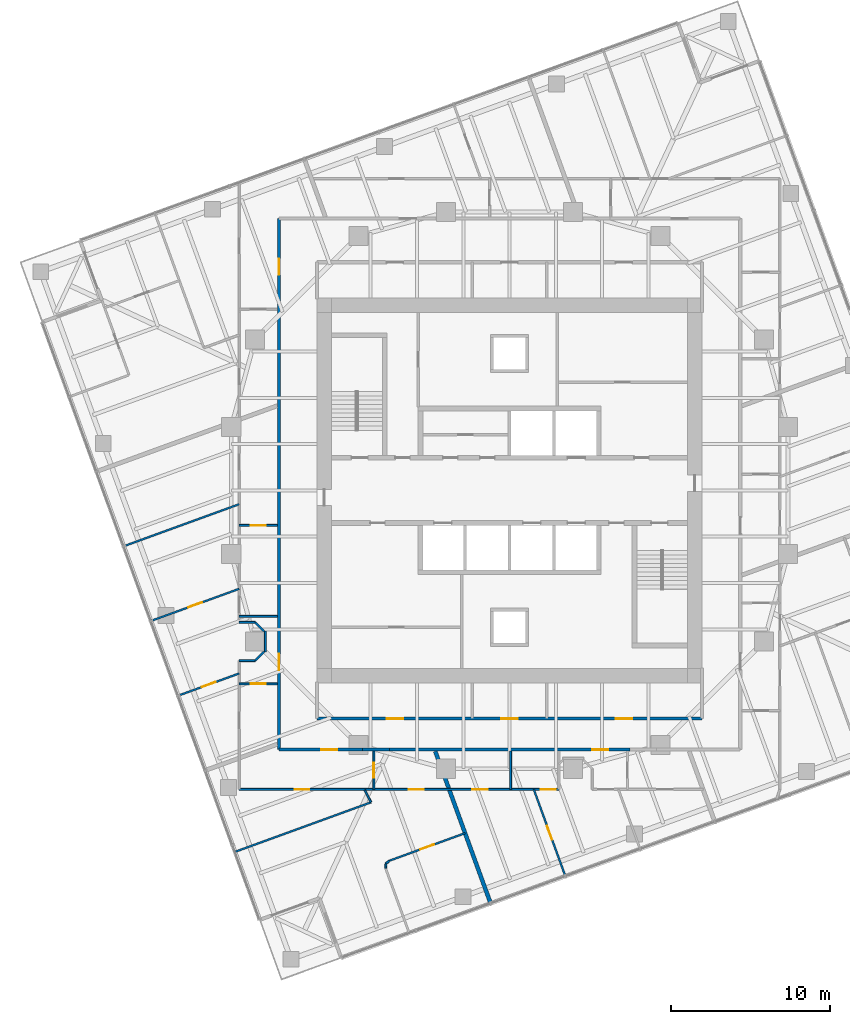
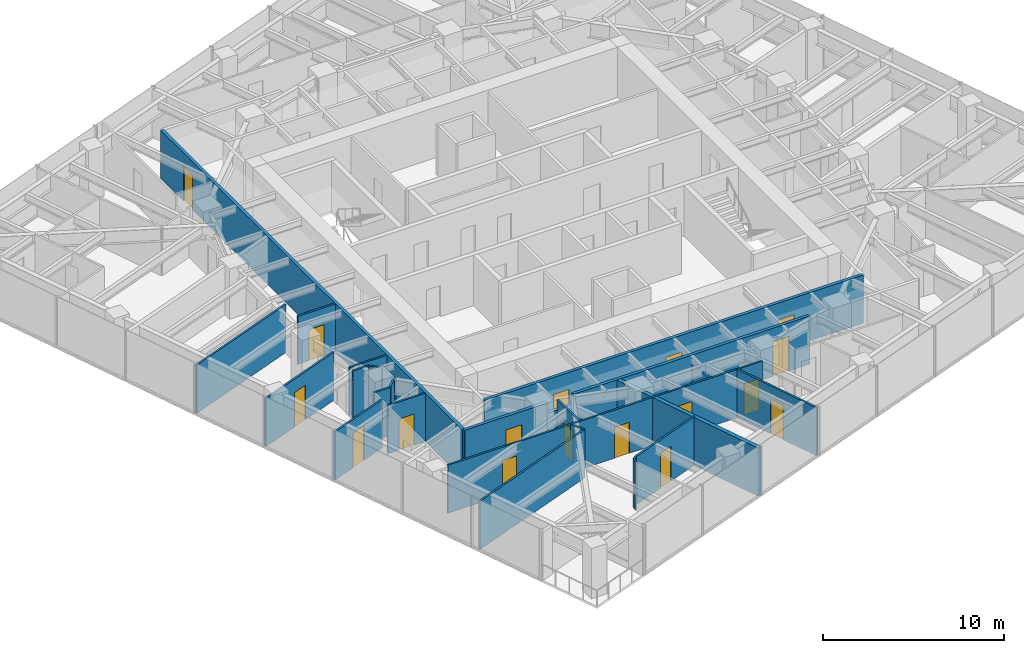
# One storey, part 7 of 13: 26 walls, 18 doors, 18 openings.
"""IFC4 building model written with IfcOpenShell, lengths in metres."""

from ifc_helpers import new_model, si_unit, direction, frame, frame_2d, origin, place, context, subcontext, project, spatial, rectangle, extrude, material, layer, layer_set, type_object, element, fill, save


model = new_model("IFC4")

# Units and contexts
model_context = context("Model", 3, precision=1e-05, world=origin(), true_north=direction((0.0, 1.0)))
body_context = subcontext(model_context, "Body", "Model", "MODEL_VIEW")
ifc_project = project(units=[si_unit("LENGTHUNIT", "METRE"), si_unit("AREAUNIT", "SQUARE_METRE"), si_unit("VOLUMEUNIT", "CUBIC_METRE"), si_unit("PLANEANGLEUNIT", "RADIAN"), si_unit("MASSUNIT", "GRAM", prefix="KILO")], contexts=[model_context])

# Site, building, storey
site_placement = place(None, origin())
site = spatial("IfcSite", under=ifc_project, at=site_placement, CompositionType="ELEMENT")
building_placement = place(site_placement, origin())
building = spatial("IfcBuilding", under=site, at=building_placement, Name="Torsade Residences", CompositionType="ELEMENT")
storey_placement = place(building_placement, frame((0.0, 0.0, 160.800048828125)))
storey = spatial("IfcBuildingStorey", under=building, at=storey_placement, Name="L44", CompositionType="ELEMENT", Elevation=160.800048828125)

# Wall, opening, door
ifc_material_1 = material(Name="Plasterboard on steel stud", Category="steel")
ifc_layer_1 = layer(ifc_material_1, 0.199951171875)
ifc_layer_set_1 = layer_set([ifc_layer_1], Name="Plasterboard on steel stud")
wall_type_1 = type_object("IfcWallType", Name="CORRIDOR WALL 200", PredefinedType="PARTITIONING", material=ifc_layer_set_1)
wall_1_placement = place(storey_placement, frame((25.5, 13.699951171875, 0.0), z_axis=(0.0, 0.0, 1.0), x_axis=(1.0, 0.0, 0.0)))
wall_1 = element("IfcWall", 1, at=wall_1_placement, inside=storey, type_object=wall_type_1, Name="Corridor wall L44", PredefinedType="PARTITIONING", context=body_context, shape_type="SweptSolid", body=[
    extrude(rectangle(XDim=5.25830078125, YDim=0.199951171875, at=frame_2d((2.629150390625, 0.0))), origin(), (0.0, 0.0, 1.0), 3.25),
])
opening_1_placement = place(wall_1_placement, frame((2.646240234375, 0.0, 0.0)))
opening_1 = element("IfcOpeningElement", 2, at=opening_1_placement, cuts=wall_1, Name="Opening D01", PredefinedType="OPENING", context=body_context, shape_type="SweptSolid", body=[
    extrude(rectangle(XDim=1.02001953125, YDim=2.340087890625, at=frame_2d((0.510009765625, 1.169921875))), frame((0.0, 0.10986328125, 0.0), z_axis=(0.0, -1.0, 0.0), x_axis=(1.0, 0.0, 0.0)), (0.0, 0.0, 1.0), 0.219970703125),
])
ifc_material_2 = material(Name="Solid-core timber fire door", Category="wood")
door_type_1 = type_object("IfcDoorType", Name="APARTMENT ENTRY DOOR 1020x2340", OperationType="NOTDEFINED", PredefinedType="DOOR", material=ifc_material_2)
door_1_placement = place(opening_1_placement, origin())
door_1 = element("IfcDoor", 3, at=door_1_placement, inside=storey, type_object=door_type_1, Name="Door Residential corridor to Kitchen and dining", OperationType="SINGLE_SWING_RIGHT", OverallHeight=2.340087890625, OverallWidth=1.02001953125, PredefinedType="DOOR", context=body_context, shape_type="SweptSolid", body=[
    extrude(rectangle(XDim=1.02001953125, YDim=2.340087890625, at=frame_2d((0.510009765625, 1.169921875))), frame((0.0, 0.02490234375, 0.0), z_axis=(0.0, -1.0, 0.0), x_axis=(1.0, 0.0, 0.0)), (0.0, 0.0, 1.0), 0.050048828125),
])
fill(opening_1, door_1)

# Wall
wall_2_placement = place(storey_placement, frame((30.75830078125, 13.699951171875, 0.0), z_axis=(0.0, 0.0, 1.0), x_axis=(1.0, 0.0, 0.0)))
element("IfcWall", 4, at=wall_2_placement, inside=storey, type_object=wall_type_1, Name="Corridor wall L44", PredefinedType="PARTITIONING", context=body_context, shape_type="SweptSolid", body=[
    extrude(rectangle(XDim=1.683349609375, YDim=0.199951171875, at=frame_2d((0.841796875, 0.0))), origin(), (0.0, 0.0, 1.0), 2.550048828125),
])

# Wall, opening, door
wall_3_placement = place(storey_placement, frame((32.441650390625, 13.699951171875, 0.0), z_axis=(0.0, 0.0, 1.0), x_axis=(1.0, 0.0, 0.0)))
wall_3 = element("IfcWall", 5, at=wall_3_placement, inside=storey, type_object=wall_type_1, Name="Corridor wall L44", PredefinedType="PARTITIONING", context=body_context, shape_type="SweptSolid", body=[
    extrude(rectangle(XDim=15.11669921875, YDim=0.199951171875, at=frame_2d((7.558349609375, 0.0))), origin(), (0.0, 0.0, 1.0), 3.25),
])
opening_2_placement = place(wall_3_placement, frame((12.755126953125, 0.0, 0.0)))
opening_2 = element("IfcOpeningElement", 6, at=opening_2_placement, cuts=wall_3, Name="Opening D01", PredefinedType="OPENING", context=body_context, shape_type="SweptSolid", body=[
    extrude(rectangle(XDim=1.02001953125, YDim=2.340087890625, at=frame_2d((0.510009765625, 1.169921875))), frame((0.0, 0.10986328125, 0.0), z_axis=(0.0, -1.0, 0.0), x_axis=(1.0, 0.0, 0.0)), (0.0, 0.0, 1.0), 0.219970703125),
])
door_2_placement = place(opening_2_placement, origin())
door_2 = element("IfcDoor", 7, at=door_2_placement, inside=storey, type_object=door_type_1, Name="Door Residential corridor to Kitchen and dining", OperationType="SINGLE_SWING_RIGHT", OverallHeight=2.340087890625, OverallWidth=1.02001953125, PredefinedType="DOOR", context=body_context, shape_type="SweptSolid", body=[
    extrude(rectangle(XDim=1.02001953125, YDim=2.340087890625, at=frame_2d((0.510009765625, 1.169921875))), frame((0.0, 0.02490234375, 0.0), z_axis=(0.0, -1.0, 0.0), x_axis=(1.0, 0.0, 0.0)), (0.0, 0.0, 1.0), 0.050048828125),
])
fill(opening_2, door_2)

# Wall, openings, doors
wall_4_placement = place(storey_placement, frame((25.5, 47.10009765625, 0.0), z_axis=(0.0, 0.0, 1.0), x_axis=(0.0, -1.0, 0.0)))
wall_4 = element("IfcWall", 8, at=wall_4_placement, inside=storey, type_object=wall_type_1, Name="Corridor wall L44", PredefinedType="PARTITIONING", context=body_context, shape_type="SweptSolid", body=[
    extrude(rectangle(XDim=33.400146484375, YDim=0.199951171875, at=frame_2d((16.7001953125, 0.0))), origin(), (0.0, 0.0, 1.0), 3.25),
])
opening_3_placement = place(wall_4_placement, frame((2.52001953125, 0.0, 0.0)))
opening_3 = element("IfcOpeningElement", 9, at=opening_3_placement, cuts=wall_4, Name="Opening D01", PredefinedType="OPENING", context=body_context, shape_type="SweptSolid", body=[
    extrude(rectangle(XDim=1.02001953125, YDim=2.340087890625, at=frame_2d((0.510009765625, 1.169921875))), frame((0.0, 0.10986328125, 0.0), z_axis=(0.0, -1.0, 0.0), x_axis=(1.0, 0.0, 0.0)), (0.0, 0.0, 1.0), 0.219970703125),
])
opening_4_placement = place(wall_4_placement, frame((27.3828125, 0.0, 0.0)))
opening_4 = element("IfcOpeningElement", 10, at=opening_4_placement, cuts=wall_4, Name="Opening D01L", PredefinedType="OPENING", context=body_context, shape_type="SweptSolid", body=[
    extrude(rectangle(XDim=1.02001953125, YDim=2.10009765625, at=frame_2d((0.510009765625, 1.050048828125))), frame((0.0, 0.10986328125, 0.0), z_axis=(0.0, -1.0, 0.0), x_axis=(1.0, 0.0, 0.0)), (0.0, 0.0, 1.0), 0.219970703125),
])
ifc_material_3 = material(Name="Solid-core timber fire door", Category="wood")
door_type_2 = type_object("IfcDoorType", Name="APARTMENT ENTRY DOOR 1020x2100", OperationType="NOTDEFINED", PredefinedType="DOOR", material=ifc_material_3)
door_3_placement = place(opening_4_placement, origin())
door_3 = element("IfcDoor", 11, at=door_3_placement, inside=storey, type_object=door_type_2, Name="Door Residential corridor to Kitchen and dining", OperationType="SINGLE_SWING_RIGHT", OverallHeight=2.10009765625, OverallWidth=1.02001953125, PredefinedType="DOOR", context=body_context, shape_type="SweptSolid", body=[
    extrude(rectangle(XDim=1.02001953125, YDim=2.10009765625, at=frame_2d((0.510009765625, 1.050048828125))), frame((0.0, 0.02490234375, 0.0), z_axis=(0.0, -1.0, 0.0), x_axis=(1.0, 0.0, 0.0)), (0.0, 0.0, 1.0), 0.050048828125),
])
fill(opening_4, door_3)
door_4_placement = place(opening_3_placement, origin())
door_4 = element("IfcDoor", 12, at=door_4_placement, inside=storey, type_object=door_type_1, Name="Door Residential corridor to Kitchen and dining", OperationType="SINGLE_SWING_LEFT", OverallHeight=2.340087890625, OverallWidth=1.02001953125, PredefinedType="DOOR", context=body_context, shape_type="SweptSolid", body=[
    extrude(rectangle(XDim=1.02001953125, YDim=2.340087890625, at=frame_2d((0.510009765625, 1.169921875))), frame((0.0, 0.02490234375, 0.0), z_axis=(0.0, -1.0, 0.0), x_axis=(1.0, 0.0, 0.0)), (0.0, 0.0, 1.0), 0.050048828125),
])
fill(opening_3, door_4)

wall_5_placement = place(storey_placement, frame((27.89990234375, 15.64990234375, 0.0), z_axis=(0.0, 0.0, 1.0), x_axis=(1.0, 0.0, 0.0)))
wall_5 = element("IfcWall", 13, at=wall_5_placement, inside=storey, type_object=wall_type_1, Name="Corridor wall L44", PredefinedType="PARTITIONING", context=body_context, shape_type="SweptSolid", body=[
    extrude(rectangle(XDim=24.2001953125, YDim=0.199951171875, at=frame_2d((12.10009765625, 0.0))), origin(), (0.0, 0.0, 1.0), 3.25),
])
opening_5_placement = place(wall_5_placement, frame((4.391357421875, 0.0, 0.0)))
opening_5 = element("IfcOpeningElement", 14, at=opening_5_placement, cuts=wall_5, Name="Opening D03", PredefinedType="OPENING", context=body_context, shape_type="SweptSolid", body=[
    extrude(rectangle(XDim=1.02001953125, YDim=2.10009765625, at=frame_2d((0.510009765625, 1.050048828125))), frame((0.0, 0.10986328125, 0.0), z_axis=(0.0, -1.0, 0.0), x_axis=(1.0, 0.0, 0.0)), (0.0, 0.0, 1.0), 0.219970703125),
])
opening_6_placement = place(wall_5_placement, frame((18.788818359375, 0.0, 0.0)))
opening_6 = element("IfcOpeningElement", 15, at=opening_6_placement, cuts=wall_5, Name="Opening D03", PredefinedType="OPENING", context=body_context, shape_type="SweptSolid", body=[
    extrude(rectangle(XDim=1.02001953125, YDim=2.10009765625, at=frame_2d((0.510009765625, 1.050048828125))), frame((0.0, 0.10986328125, 0.0), z_axis=(0.0, -1.0, 0.0), x_axis=(1.0, 0.0, 0.0)), (0.0, 0.0, 1.0), 0.219970703125),
])
opening_7_placement = place(wall_5_placement, frame((11.590087890625, 0.0, 0.0)))
opening_7 = element("IfcOpeningElement", 16, at=opening_7_placement, cuts=wall_5, Name="Opening D03", PredefinedType="OPENING", context=body_context, shape_type="SweptSolid", body=[
    extrude(rectangle(XDim=1.02001953125, YDim=2.10009765625, at=frame_2d((0.510009765625, 1.050048828125))), frame((0.0, 0.10986328125, 0.0), z_axis=(0.0, -1.0, 0.0), x_axis=(1.0, 0.0, 0.0)), (0.0, 0.0, 1.0), 0.219970703125),
])
ifc_material_4 = material(Name="Steel-framed fire door", Category="steel")
door_type_3 = type_object("IfcDoorType", Name="FIRE DOOR 1020", OperationType="NOTDEFINED", PredefinedType="DOOR", material=ifc_material_4)
door_5_placement = place(opening_5_placement, origin())
door_5 = element("IfcDoor", 17, at=door_5_placement, inside=storey, type_object=door_type_3, Name="Door Residential corridor to Residents storage", OperationType="SINGLE_SWING_RIGHT", OverallHeight=2.10009765625, OverallWidth=1.02001953125, PredefinedType="DOOR", context=body_context, shape_type="SweptSolid", body=[
    extrude(rectangle(XDim=1.02001953125, YDim=2.10009765625, at=frame_2d((0.510009765625, 1.050048828125))), frame((0.0, 0.02490234375, 0.0), z_axis=(0.0, -1.0, 0.0), x_axis=(1.0, 0.0, 0.0)), (0.0, 0.0, 1.0), 0.050048828125),
])
fill(opening_5, door_5)
door_6_placement = place(opening_6_placement, origin())
door_6 = element("IfcDoor", 18, at=door_6_placement, inside=storey, type_object=door_type_3, Name="Door Residential corridor to Parcel room", OperationType="SINGLE_SWING_LEFT", OverallHeight=2.10009765625, OverallWidth=1.02001953125, PredefinedType="DOOR", context=body_context, shape_type="SweptSolid", body=[
    extrude(rectangle(XDim=1.02001953125, YDim=2.10009765625, at=frame_2d((0.510009765625, 1.050048828125))), frame((0.0, 0.02490234375, 0.0), z_axis=(0.0, -1.0, 0.0), x_axis=(1.0, 0.0, 0.0)), (0.0, 0.0, 1.0), 0.050048828125),
])
fill(opening_6, door_6)
door_7_placement = place(opening_7_placement, origin())
door_7 = element("IfcDoor", 19, at=door_7_placement, inside=storey, type_object=door_type_3, Name="Door Residential corridor to Cleaner store", OperationType="SINGLE_SWING_LEFT", OverallHeight=2.10009765625, OverallWidth=1.02001953125, PredefinedType="DOOR", context=body_context, shape_type="SweptSolid", body=[
    extrude(rectangle(XDim=1.02001953125, YDim=2.10009765625, at=frame_2d((0.510009765625, 1.050048828125))), frame((0.0, 0.02490234375, 0.0), z_axis=(0.0, -1.0, 0.0), x_axis=(1.0, 0.0, 0.0)), (0.0, 0.0, 1.0), 0.050048828125),
])
fill(opening_7, door_7)

# Walls
ifc_material_5 = material(Name="Plasterboard on steel stud", Category="steel")
ifc_layer_2 = layer(ifc_material_5, 0.1201171875)
ifc_layer_set_2 = layer_set([ifc_layer_2], Name="Plasterboard on steel stud")
wall_type_2 = type_object("IfcWallType", Name="PARTITION 120", PredefinedType="PARTITIONING", material=ifc_layer_set_2)
wall_6_placement = place(storey_placement, frame((23.0, 22.076416015625, 0.0), z_axis=(0.0, 0.0, 1.0), x_axis=(1.0, 0.0, 0.0)))
element("IfcWall", 20, at=wall_6_placement, inside=storey, type_object=wall_type_2, Name="Partition L44", PredefinedType="PARTITIONING", context=body_context, shape_type="SweptSolid", body=[
    extrude(rectangle(XDim=2.39990234375, YDim=0.1201171875, at=frame_2d((1.199951171875, 0.0))), origin(), (0.0, 0.0, 1.0), 3.25),
])
wall_7_placement = place(storey_placement, frame((23.0, 19.300048828125, 0.0), z_axis=(0.0, 0.0, 1.0), x_axis=(1.0, 0.0, 0.0)))
element("IfcWall", 21, at=wall_7_placement, inside=storey, type_object=wall_type_2, Name="Partition L44", PredefinedType="PARTITIONING", context=body_context, shape_type="SweptSolid", body=[
    extrude(rectangle(XDim=1.0, YDim=0.1201171875, at=frame_2d((0.5, 0.0))), origin(), (0.0, 0.0, 1.0), 3.25),
])
wall_8_placement = place(storey_placement, frame((24.0, 19.300048828125, 0.0), z_axis=(0.0, 0.0, 1.0), x_axis=(0.707106781187, 0.707106781187, 0.0)))
element("IfcWall", 22, at=wall_8_placement, inside=storey, type_object=wall_type_2, Name="Partition L44", PredefinedType="PARTITIONING", context=body_context, shape_type="SweptSolid", body=[
    extrude(rectangle(XDim=0.77783203125, YDim=0.1201171875, at=frame_2d((0.388916015625, 0.0))), origin(), (0.0, 0.0, 1.0), 3.25),
])
wall_9_placement = place(storey_placement, frame((24.64990234375, 19.85009765625, 0.0), z_axis=(0.0, 0.0, 1.0), x_axis=(0.0, 1.0, 0.0)))
element("IfcWall", 23, at=wall_9_placement, inside=storey, type_object=wall_type_2, Name="Partition L44", PredefinedType="PARTITIONING", context=body_context, shape_type="SweptSolid", body=[
    extrude(rectangle(XDim=1.2998046875, YDim=0.1201171875, at=frame_2d((0.64990234375, 0.0))), origin(), (0.0, 0.0, 1.0), 3.25),
])
wall_10_placement = place(storey_placement, frame((24.550048828125, 21.14990234375, 0.0), z_axis=(0.0, 0.0, 1.0), x_axis=(-0.707106781187, 0.707106781187, 0.0)))
element("IfcWall", 24, at=wall_10_placement, inside=storey, type_object=wall_type_2, Name="Partition L44", PredefinedType="PARTITIONING", context=body_context, shape_type="SweptSolid", body=[
    extrude(rectangle(XDim=0.77783203125, YDim=0.1201171875, at=frame_2d((0.388916015625, 0.0))), origin(), (0.0, 0.0, 1.0), 3.25),
])
wall_11_placement = place(storey_placement, frame((24.0, 21.699951171875, 0.0), z_axis=(0.0, 0.0, 1.0), x_axis=(-1.0, 0.0, 0.0)))
element("IfcWall", 25, at=wall_11_placement, inside=storey, type_object=wall_type_2, Name="Partition L44", PredefinedType="PARTITIONING", context=body_context, shape_type="SweptSolid", body=[
    extrude(rectangle(XDim=1.0, YDim=0.1201171875, at=frame_2d((0.5, 0.0))), origin(), (0.0, 0.0, 1.0), 3.25),
])

# Wall, opening, door
wall_12_placement = place(storey_placement, frame((25.39990234375, 17.838134765625, 0.0), z_axis=(0.0, 0.0, 1.0), x_axis=(-1.0, 0.0, 0.0)))
wall_12 = element("IfcWall", 26, at=wall_12_placement, inside=storey, type_object=wall_type_2, Name="Partition L44", PredefinedType="PARTITIONING", context=body_context, shape_type="SweptSolid", body=[
    extrude(rectangle(XDim=2.39990234375, YDim=0.1201171875, at=frame_2d((1.199951171875, 0.0))), origin(), (0.0, 0.0, 1.0), 3.25),
])
opening_8_placement = place(wall_12_placement, frame((0.719970703125, 0.0, 0.0)))
opening_8 = element("IfcOpeningElement", 27, at=opening_8_placement, cuts=wall_12, Name="Opening D05", PredefinedType="OPENING", context=body_context, shape_type="SweptSolid", body=[
    extrude(rectangle(XDim=0.9599609375, YDim=2.10009765625, at=frame_2d((0.47998046875, 1.050048828125))), frame((0.0, 0.070068359375, 0.0), z_axis=(0.0, -1.0, 0.0), x_axis=(1.0, 0.0, 0.0)), (0.0, 0.0, 1.0), 0.14013671875),
])
ifc_material_6 = material(Name="Hollow-core timber door in a steel cavity frame", Category="steel")
door_type_4 = type_object("IfcDoorType", Name="BATHROOM CAVITY SLIDING DOOR 960", OperationType="SLIDING_TO_LEFT", PredefinedType="DOOR", material=ifc_material_6)
door_8_placement = place(opening_8_placement, origin())
door_8 = element("IfcDoor", 28, at=door_8_placement, inside=storey, type_object=door_type_4, Name="Door Kitchen and dining to WC", OperationType="SLIDING_TO_LEFT", OverallHeight=2.10009765625, OverallWidth=0.9599609375, PredefinedType="DOOR", context=body_context, shape_type="SweptSolid", body=[
    extrude(rectangle(XDim=0.9599609375, YDim=2.10009765625, at=frame_2d((0.47998046875, 1.050048828125))), frame((0.0, 0.02490234375, 0.0), z_axis=(0.0, -1.0, 0.0), x_axis=(1.0, 0.0, 0.0)), (0.0, 0.0, 1.0), 0.050048828125),
])
fill(opening_8, door_8)

wall_13_placement = place(storey_placement, frame((25.39990234375, 27.797607421875, 0.0), z_axis=(0.0, 0.0, 1.0), x_axis=(-1.0, 0.0, 0.0)))
wall_13 = element("IfcWall", 29, at=wall_13_placement, inside=storey, type_object=wall_type_2, Name="Partition L44", PredefinedType="PARTITIONING", context=body_context, shape_type="SweptSolid", body=[
    extrude(rectangle(XDim=2.39990234375, YDim=0.1201171875, at=frame_2d((1.199951171875, 0.0))), origin(), (0.0, 0.0, 1.0), 3.25),
])
opening_9_placement = place(wall_13_placement, frame((0.719970703125, 0.0, 0.0)))
opening_9 = element("IfcOpeningElement", 30, at=opening_9_placement, cuts=wall_13, Name="Opening D05", PredefinedType="OPENING", context=body_context, shape_type="SweptSolid", body=[
    extrude(rectangle(XDim=0.9599609375, YDim=2.10009765625, at=frame_2d((0.47998046875, 1.050048828125))), frame((0.0, 0.070068359375, 0.0), z_axis=(0.0, -1.0, 0.0), x_axis=(1.0, 0.0, 0.0)), (0.0, 0.0, 1.0), 0.14013671875),
])
door_9_placement = place(opening_9_placement, origin())
door_9 = element("IfcDoor", 31, at=door_9_placement, inside=storey, type_object=door_type_4, Name="Door Ensuite to Bathroom", OperationType="SLIDING_TO_LEFT", OverallHeight=2.10009765625, OverallWidth=0.9599609375, PredefinedType="DOOR", context=body_context, shape_type="SweptSolid", body=[
    extrude(rectangle(XDim=0.9599609375, YDim=2.10009765625, at=frame_2d((0.47998046875, 1.050048828125))), frame((0.0, 0.02490234375, 0.0), z_axis=(0.0, -1.0, 0.0), x_axis=(1.0, 0.0, 0.0)), (0.0, 0.0, 1.0), 0.050048828125),
])
fill(opening_9, door_9)

# Wall
wall_14_placement = place(storey_placement, frame((23.0, 29.133544921875, 0.0), z_axis=(0.0, 0.0, 1.0), x_axis=(-0.939685835373, -0.342038785519, 0.0)))
element("IfcWall", 32, at=wall_14_placement, inside=storey, type_object=wall_type_2, Name="Partition L44", PredefinedType="PARTITIONING", context=body_context, shape_type="SweptSolid", body=[
    extrude(rectangle(XDim=7.68896484375, YDim=0.1201171875, at=frame_2d((3.844482421875, 0.0))), origin(), (0.0, 0.0, 1.0), 3.25),
])

# Wall, opening, door
wall_15_placement = place(storey_placement, frame((23.0, 23.8125, 0.0), z_axis=(0.0, 0.0, 1.0), x_axis=(-0.939693791822, -0.342016925912, 0.0)))
wall_15 = element("IfcWall", 33, at=wall_15_placement, inside=storey, type_object=wall_type_2, Name="Partition L44", PredefinedType="PARTITIONING", context=body_context, shape_type="SweptSolid", body=[
    extrude(rectangle(XDim=5.869140625, YDim=0.1201171875, at=frame_2d((2.9345703125, 0.0))), origin(), (0.0, 0.0, 1.0), 3.25),
])
opening_10_placement = place(wall_15_placement, frame((2.494384765625, 0.0, 0.0)))
opening_10 = element("IfcOpeningElement", 34, at=opening_10_placement, cuts=wall_15, Name="Opening D02", PredefinedType="OPENING", context=body_context, shape_type="SweptSolid", body=[
    extrude(rectangle(XDim=0.919921875, YDim=2.340087890625, at=frame_2d((0.4599609375, 1.169921875))), frame((0.0, 0.070068359375, 0.0), z_axis=(0.0, -1.0, 0.0), x_axis=(1.0, 0.0, 0.0)), (0.0, 0.0, 1.0), 0.14013671875),
])
ifc_material_7 = material(Name="Hollow-core timber door", Category="wood")
door_type_5 = type_object("IfcDoorType", Name="INTERNAL DOOR 920x2340", OperationType="NOTDEFINED", PredefinedType="DOOR", material=ifc_material_7)
door_10_placement = place(opening_10_placement, origin())
door_10 = element("IfcDoor", 35, at=door_10_placement, inside=storey, type_object=door_type_5, Name="Door Bedroom 2 to Bedroom 1", OperationType="SINGLE_SWING_RIGHT", OverallHeight=2.340087890625, OverallWidth=0.919921875, PredefinedType="DOOR", context=body_context, shape_type="SweptSolid", body=[
    extrude(rectangle(XDim=0.919921875, YDim=2.340087890625, at=frame_2d((0.4599609375, 1.169921875))), frame((0.0, 0.02490234375, 0.0), z_axis=(0.0, -1.0, 0.0), x_axis=(1.0, 0.0, 0.0)), (0.0, 0.0, 1.0), 0.050048828125),
])
fill(opening_10, door_10)

wall_16_placement = place(storey_placement, frame((23.0, 18.49169921875, 0.0), z_axis=(0.0, 0.0, 1.0), x_axis=(-0.939682468191, -0.342048036063, 0.0)))
wall_16 = element("IfcWall", 36, at=wall_16_placement, inside=storey, type_object=wall_type_2, Name="Partition L44", PredefinedType="PARTITIONING", context=body_context, shape_type="SweptSolid", body=[
    extrude(rectangle(XDim=4.049072265625, YDim=0.1201171875, at=frame_2d((2.0244140625, 0.0))), origin(), (0.0, 0.0, 1.0), 3.25),
])
opening_11_placement = place(wall_16_placement, frame((1.58447265625, 0.0, 0.0)))
opening_11 = element("IfcOpeningElement", 37, at=opening_11_placement, cuts=wall_16, Name="Opening D02", PredefinedType="OPENING", context=body_context, shape_type="SweptSolid", body=[
    extrude(rectangle(XDim=0.919921875, YDim=2.340087890625, at=frame_2d((0.4599609375, 1.169921875))), frame((0.0, 0.070068359375, 0.0), z_axis=(0.0, -1.0, 0.0), x_axis=(1.0, 0.0, 0.0)), (0.0, 0.0, 1.0), 0.14013671875),
])
door_11_placement = place(opening_11_placement, origin())
door_11 = element("IfcDoor", 38, at=door_11_placement, inside=storey, type_object=door_type_5, Name="Door Bedroom 3 to Bedroom 2", OperationType="SINGLE_SWING_LEFT", OverallHeight=2.340087890625, OverallWidth=0.919921875, PredefinedType="DOOR", context=body_context, shape_type="SweptSolid", body=[
    extrude(rectangle(XDim=0.919921875, YDim=2.340087890625, at=frame_2d((0.4599609375, 1.169921875))), frame((0.0, 0.02490234375, 0.0), z_axis=(0.0, -1.0, 0.0), x_axis=(1.0, 0.0, 0.0)), (0.0, 0.0, 1.0), 0.050048828125),
])
fill(opening_11, door_11)

wall_17_placement = place(storey_placement, frame((31.46240234375, 13.60009765625, 0.0), z_axis=(0.0, 0.0, 1.0), x_axis=(0.0, -1.0, 0.0)))
wall_17 = element("IfcWall", 39, at=wall_17_placement, inside=storey, type_object=wall_type_2, Name="Partition L44", PredefinedType="PARTITIONING", context=body_context, shape_type="SweptSolid", body=[
    extrude(rectangle(XDim=2.400146484375, YDim=0.1201171875, at=frame_2d((1.2001953125, 0.0))), origin(), (0.0, 0.0, 1.0), 3.25),
])
opening_12_placement = place(wall_17_placement, frame((0.719970703125, 0.0, 0.0)))
opening_12 = element("IfcOpeningElement", 40, at=opening_12_placement, cuts=wall_17, Name="Opening D05", PredefinedType="OPENING", context=body_context, shape_type="SweptSolid", body=[
    extrude(rectangle(XDim=0.9599609375, YDim=2.10009765625, at=frame_2d((0.47998046875, 1.050048828125))), frame((0.0, 0.070068359375, 0.0), z_axis=(0.0, -1.0, 0.0), x_axis=(1.0, 0.0, 0.0)), (0.0, 0.0, 1.0), 0.14013671875),
])
door_12_placement = place(opening_12_placement, origin())
door_12 = element("IfcDoor", 41, at=door_12_placement, inside=storey, type_object=door_type_4, Name="Door Kitchen and dining to Bathroom", OperationType="SLIDING_TO_LEFT", OverallHeight=2.10009765625, OverallWidth=0.9599609375, PredefinedType="DOOR", context=body_context, shape_type="SweptSolid", body=[
    extrude(rectangle(XDim=0.9599609375, YDim=2.10009765625, at=frame_2d((0.47998046875, 1.050048828125))), frame((0.0, 0.02490234375, 0.0), z_axis=(0.0, -1.0, 0.0), x_axis=(1.0, 0.0, 0.0)), (0.0, 0.0, 1.0), 0.050048828125),
])
fill(opening_12, door_12)

# Wall, openings, doors
wall_18_placement = place(storey_placement, frame((43.097900390625, 11.199951171875, 0.0), z_axis=(0.0, 0.0, 1.0), x_axis=(-1.0, 0.0, 0.0)))
wall_18 = element("IfcWall", 42, at=wall_18_placement, inside=storey, type_object=wall_type_2, Name="Partition L44", PredefinedType="PARTITIONING", context=body_context, shape_type="SweptSolid", body=[
    extrude(rectangle(XDim=20.097900390625, YDim=0.1201171875, at=frame_2d((10.048828125, 0.0))), origin(), (0.0, 0.0, 1.0), 3.25),
])
opening_13_placement = place(wall_18_placement, frame((15.70068359375, 0.0, 0.0)))
opening_13 = element("IfcOpeningElement", 43, at=opening_13_placement, cuts=wall_18, Name="Opening D02", PredefinedType="OPENING", context=body_context, shape_type="SweptSolid", body=[
    extrude(rectangle(XDim=0.919921875, YDim=2.340087890625, at=frame_2d((0.4599609375, 1.169921875))), frame((0.0, 0.070068359375, 0.0), z_axis=(0.0, -1.0, 0.0), x_axis=(1.0, 0.0, 0.0)), (0.0, 0.0, 1.0), 0.14013671875),
])
opening_14_placement = place(wall_18_placement, frame((8.48974609375, 0.0, 0.0)))
opening_14 = element("IfcOpeningElement", 44, at=opening_14_placement, cuts=wall_18, Name="Opening D05", PredefinedType="OPENING", context=body_context, shape_type="SweptSolid", body=[
    extrude(rectangle(XDim=0.9599609375, YDim=2.10009765625, at=frame_2d((0.47998046875, 1.050048828125))), frame((0.0, 0.070068359375, 0.0), z_axis=(0.0, -1.0, 0.0), x_axis=(1.0, 0.0, 0.0)), (0.0, 0.0, 1.0), 0.14013671875),
])
opening_15_placement = place(wall_18_placement, frame((0.1845703125, 0.0, 0.0)))
opening_15 = element("IfcOpeningElement", 45, at=opening_15_placement, cuts=wall_18, Name="Opening D05", PredefinedType="OPENING", context=body_context, shape_type="SweptSolid", body=[
    extrude(rectangle(XDim=0.9599609375, YDim=2.10009765625, at=frame_2d((0.47998046875, 1.050048828125))), frame((0.0, 0.070068359375, 0.0), z_axis=(0.0, -1.0, 0.0), x_axis=(1.0, 0.0, 0.0)), (0.0, 0.0, 1.0), 0.14013671875),
])
opening_16_placement = place(wall_18_placement, frame((4.48388671875, 0.0, 0.0)))
opening_16 = element("IfcOpeningElement", 46, at=opening_16_placement, cuts=wall_18, Name="Opening D05", PredefinedType="OPENING", context=body_context, shape_type="SweptSolid", body=[
    extrude(rectangle(XDim=0.9599609375, YDim=2.10009765625, at=frame_2d((0.47998046875, 1.050048828125))), frame((0.0, 0.070068359375, 0.0), z_axis=(0.0, -1.0, 0.0), x_axis=(1.0, 0.0, 0.0)), (0.0, 0.0, 1.0), 0.14013671875),
])
door_13_placement = place(opening_14_placement, origin())
door_13 = element("IfcDoor", 47, at=door_13_placement, inside=storey, type_object=door_type_4, Name="Door Bathroom to Living room", OperationType="SLIDING_TO_LEFT", OverallHeight=2.10009765625, OverallWidth=0.9599609375, PredefinedType="DOOR", context=body_context, shape_type="SweptSolid", body=[
    extrude(rectangle(XDim=0.9599609375, YDim=2.10009765625, at=frame_2d((0.47998046875, 1.050048828125))), frame((0.0, 0.02490234375, 0.0), z_axis=(0.0, -1.0, 0.0), x_axis=(1.0, 0.0, 0.0)), (0.0, 0.0, 1.0), 0.050048828125),
])
fill(opening_14, door_13)
door_14_placement = place(opening_15_placement, origin())
door_14 = element("IfcDoor", 48, at=door_14_placement, inside=storey, type_object=door_type_4, Name="Door Bedroom 1 to Ensuite", OperationType="SLIDING_TO_LEFT", OverallHeight=2.10009765625, OverallWidth=0.9599609375, PredefinedType="DOOR", context=body_context, shape_type="SweptSolid", body=[
    extrude(rectangle(XDim=0.9599609375, YDim=2.10009765625, at=frame_2d((0.47998046875, 1.050048828125))), frame((0.0, 0.02490234375, 0.0), z_axis=(0.0, -1.0, 0.0), x_axis=(1.0, 0.0, 0.0)), (0.0, 0.0, 1.0), 0.050048828125),
])
fill(opening_15, door_14)
door_15_placement = place(opening_16_placement, origin())
door_15 = element("IfcDoor", 49, at=door_15_placement, inside=storey, type_object=door_type_4, Name="Door Living room to Bathroom", OperationType="SLIDING_TO_LEFT", OverallHeight=2.10009765625, OverallWidth=0.9599609375, PredefinedType="DOOR", context=body_context, shape_type="SweptSolid", body=[
    extrude(rectangle(XDim=0.9599609375, YDim=2.10009765625, at=frame_2d((0.47998046875, 1.050048828125))), frame((0.0, 0.02490234375, 0.0), z_axis=(0.0, -1.0, 0.0), x_axis=(1.0, 0.0, 0.0)), (0.0, 0.0, 1.0), 0.050048828125),
])
fill(opening_16, door_15)
door_16_placement = place(opening_13_placement, origin())
door_16 = element("IfcDoor", 50, at=door_16_placement, inside=storey, type_object=door_type_5, Name="Door Kitchen and dining to Bedroom 1", OperationType="SINGLE_SWING_LEFT", OverallHeight=2.340087890625, OverallWidth=0.919921875, PredefinedType="DOOR", context=body_context, shape_type="SweptSolid", body=[
    extrude(rectangle(XDim=0.919921875, YDim=2.340087890625, at=frame_2d((0.4599609375, 1.169921875))), frame((0.0, 0.02490234375, 0.0), z_axis=(0.0, -1.0, 0.0), x_axis=(1.0, 0.0, 0.0)), (0.0, 0.0, 1.0), 0.050048828125),
])
fill(opening_13, door_16)

# Walls
wall_19_placement = place(storey_placement, frame((22.769287109375, 7.286865234375, 0.0), z_axis=(0.0, 0.0, 1.0), x_axis=(0.939692673089, 0.342019999623, 0.0)))
element("IfcWall", 51, at=wall_19_placement, inside=storey, type_object=wall_type_2, Name="Partition L44", PredefinedType="PARTITIONING", context=body_context, shape_type="SweptSolid", body=[
    extrude(rectangle(XDim=9.059814453125, YDim=0.1201171875, at=frame_2d((4.52978515625, 0.0))), origin(), (0.0, 0.0, 1.0), 3.25),
])
wall_20_placement = place(storey_placement, frame((31.28271484375, 10.385498046875, 0.0), z_axis=(0.0, 0.0, 1.0), x_axis=(-0.448117513314, 0.893974660861, 0.0)))
element("IfcWall", 52, at=wall_20_placement, inside=storey, type_object=wall_type_2, Name="Partition L44", PredefinedType="PARTITIONING", context=body_context, shape_type="SweptSolid", body=[
    extrude(rectangle(XDim=0.864013671875, YDim=0.1201171875, at=frame_2d((0.43212890625, 0.0))), origin(), (0.0, 0.0, 1.0), 3.25),
])

# Wall, opening, door
wall_21_placement = place(storey_placement, frame((37.2021484375, 8.44873046875, 0.0), z_axis=(0.0, 0.0, 1.0), x_axis=(-0.939692115443, -0.34202153174, 0.0)))
wall_21 = element("IfcWall", 53, at=wall_21_placement, inside=storey, type_object=wall_type_2, Name="Partition L44", PredefinedType="PARTITIONING", context=body_context, shape_type="SweptSolid", body=[
    extrude(rectangle(XDim=5.068115234375, YDim=0.1201171875, at=frame_2d((2.5341796875, 0.0))), origin(), (0.0, 0.0, 1.0), 3.25),
])
opening_17_placement = place(wall_21_placement, frame((2.073974609375, 0.0, 0.0)))
opening_17 = element("IfcOpeningElement", 54, at=opening_17_placement, cuts=wall_21, Name="Opening D02", PredefinedType="OPENING", context=body_context, shape_type="SweptSolid", body=[
    extrude(rectangle(XDim=0.919921875, YDim=2.340087890625, at=frame_2d((0.4599609375, 1.169921875))), frame((0.0, 0.070068359375, 0.0), z_axis=(0.0, -1.0, 0.0), x_axis=(1.0, 0.0, 0.0)), (0.0, 0.0, 1.0), 0.14013671875),
])
door_17_placement = place(opening_17_placement, origin())
door_17 = element("IfcDoor", 55, at=door_17_placement, inside=storey, type_object=door_type_5, Name="Door Living room to Bedroom 2", OperationType="SINGLE_SWING_LEFT", OverallHeight=2.340087890625, OverallWidth=0.919921875, PredefinedType="DOOR", context=body_context, shape_type="SweptSolid", body=[
    extrude(rectangle(XDim=0.919921875, YDim=2.340087890625, at=frame_2d((0.4599609375, 1.169921875))), frame((0.0, 0.02490234375, 0.0), z_axis=(0.0, -1.0, 0.0), x_axis=(1.0, 0.0, 0.0)), (0.0, 0.0, 1.0), 0.050048828125),
])
fill(opening_17, door_17)

# Walls
wall_22_placement = place(storey_placement, frame((32.439697265625, 6.71533203125, 0.0), z_axis=(0.0, 0.0, 1.0), x_axis=(-0.769401529914, -0.638765438769, 0.0)))
element("IfcWall", 56, at=wall_22_placement, inside=storey, type_object=wall_type_2, Name="Partition L44", PredefinedType="PARTITIONING", context=body_context, shape_type="SweptSolid", body=[
    extrude(rectangle(XDim=0.27099609375, YDim=0.1201171875, at=frame_2d((0.135498046875, 0.0))), origin(), (0.0, 0.0, 1.0), 3.25),
])
wall_23_placement = place(storey_placement, frame((32.231201171875, 6.542236328125, 0.0), z_axis=(0.0, 0.0, 1.0), x_axis=(-0.093212941297, -0.995646195983, 0.0)))
element("IfcWall", 57, at=wall_23_placement, inside=storey, type_object=wall_type_2, Name="Partition L44", PredefinedType="PARTITIONING", context=body_context, shape_type="SweptSolid", body=[
    extrude(rectangle(XDim=0.2958984375, YDim=0.1201171875, at=frame_2d((0.14794921875, 0.0))), origin(), (0.0, 0.0, 1.0), 3.25),
])
wall_24_placement = place(storey_placement, frame((40.06689453125, 13.60009765625, 0.0), z_axis=(0.0, 0.0, 1.0), x_axis=(0.0, -1.0, 0.0)))
element("IfcWall", 58, at=wall_24_placement, inside=storey, type_object=wall_type_2, Name="Partition L44", PredefinedType="PARTITIONING", context=body_context, shape_type="SweptSolid", body=[
    extrude(rectangle(XDim=2.400146484375, YDim=0.1201171875, at=frame_2d((1.2001953125, 0.0))), origin(), (0.0, 0.0, 1.0), 2.7958984375),
])

# Wall, opening, door
wall_25_placement = place(storey_placement, frame((41.521728515625, 11.199951171875, 0.0), z_axis=(0.0, 0.0, 1.0), x_axis=(0.342028262279, -0.939689665689, 0.0)))
wall_25 = element("IfcWall", 59, at=wall_25_placement, inside=storey, type_object=wall_type_2, Name="Partition L44", PredefinedType="PARTITIONING", context=body_context, shape_type="SweptSolid", body=[
    extrude(rectangle(XDim=5.773193359375, YDim=0.1201171875, at=frame_2d((2.88671875, 0.0))), origin(), (0.0, 0.0, 1.0), 3.25),
])
opening_18_placement = place(wall_25_placement, frame((2.446533203125, 0.0, 0.0)))
opening_18 = element("IfcOpeningElement", 60, at=opening_18_placement, cuts=wall_25, Name="Opening D02", PredefinedType="OPENING", context=body_context, shape_type="SweptSolid", body=[
    extrude(rectangle(XDim=0.919921875, YDim=2.340087890625, at=frame_2d((0.4599609375, 1.169921875))), frame((0.0, 0.070068359375, 0.0), z_axis=(0.0, -1.0, 0.0), x_axis=(1.0, 0.0, 0.0)), (0.0, 0.0, 1.0), 0.14013671875),
])
door_18_placement = place(opening_18_placement, origin())
door_18 = element("IfcDoor", 61, at=door_18_placement, inside=storey, type_object=door_type_5, Name="Door Bedroom 1 to Living room", OperationType="SINGLE_SWING_LEFT", OverallHeight=2.340087890625, OverallWidth=0.919921875, PredefinedType="DOOR", context=body_context, shape_type="SweptSolid", body=[
    extrude(rectangle(XDim=0.919921875, YDim=2.340087890625, at=frame_2d((0.4599609375, 1.169921875))), frame((0.0, 0.02490234375, 0.0), z_axis=(0.0, -1.0, 0.0), x_axis=(1.0, 0.0, 0.0)), (0.0, 0.0, 1.0), 0.050048828125),
])
fill(opening_18, door_18)

# Wall
ifc_material_8 = material(Name="Masonry-lined stud party wall", Category="masonry")
ifc_layer_3 = layer(ifc_material_8, 0.25)
ifc_layer_set_3 = layer_set([ifc_layer_3], Name="Masonry-lined stud party wall")
wall_type_3 = type_object("IfcWallType", Name="PARTY WALL 250", PredefinedType="PARTITIONING", material=ifc_layer_set_3)
wall_26_placement = place(storey_placement, frame((38.8115234375, 4.027099609375, 0.0), z_axis=(0.0, 0.0, 1.0), x_axis=(-0.342027987857, 0.939689765573, 0.0)))
element("IfcWall", 62, at=wall_26_placement, inside=storey, type_object=wall_type_3, Name="Party wall L44", PredefinedType="PARTITIONING", context=body_context, shape_type="SweptSolid", body=[
    extrude(rectangle(XDim=10.181640625, YDim=0.25, at=frame_2d((5.0908203125, 0.0))), origin(), (0.0, 0.0, 1.0), 3.25),
])

save(model, "model.ifc")
